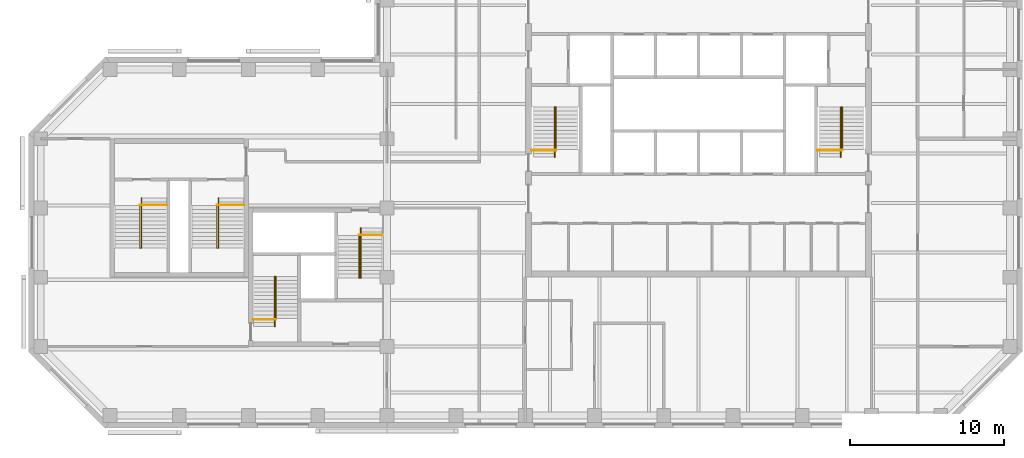
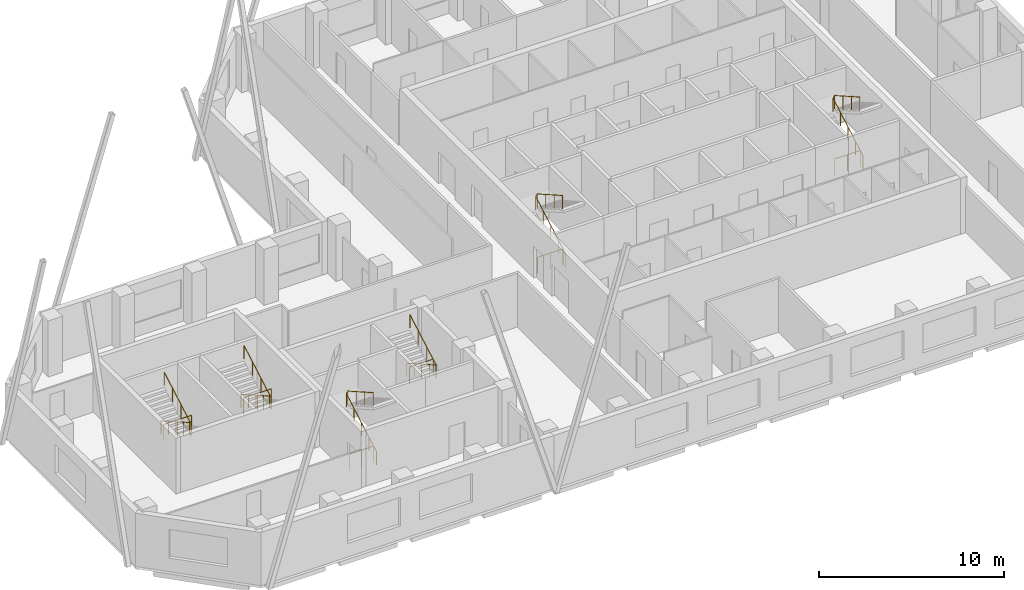
# One storey, part 9 of 9: 12 railings.
"""IFC4 building model written with IfcOpenShell, lengths in metres."""

import ifcopenshell
import ifcopenshell.guid

model = None  # the IFC model being written
_history = None  # IfcOwnerHistory: only IFC2X3 demands one
_inside = {}  # id of a spatial element -> (the spatial element, [elements in it])
_under = {}  # id of a project, library or spatial element -> (it, [spatial elements below it])
_declared = {}  # id of a project -> (the project, [libraries it declares])
_typed = {}  # id of a type object -> (the type object, [elements of that type])
_made_of = {}  # id of a material, layer set ... -> (it, [elements and type objects made of it])


def new_model(schema):
    """Start an empty IFC model of exactly this schema.

    Asked for "IFC4X3", IfcOpenShell would pick the latest addendum, in which some entities
    have other attributes; the version numbers below select the first issue.
    IFC2X3 requires an IfcOwnerHistory on every rooted entity: one is made here for all.
    """
    global model, _history
    if schema == "IFC4X3":
        model = ifcopenshell.file(schema_version=(4, 3, 0, 0))
    else:
        model = ifcopenshell.file(schema=schema)
    _inside.clear()
    _under.clear()
    _declared.clear()
    _typed.clear()
    _made_of.clear()
    _history = None
    if model.schema == "IFC2X3":
        org = make("IfcOrganization", Name="unknown")
        user = make(
            "IfcPersonAndOrganization",
            ThePerson=make("IfcPerson", FamilyName="unknown"),
            TheOrganization=org,
        )
        app = make(
            "IfcApplication",
            ApplicationDeveloper=org,
            Version="unknown",
            ApplicationFullName="unknown",
            ApplicationIdentifier="unknown",
        )
        _history = make(
            "IfcOwnerHistory",
            OwningUser=user,
            OwningApplication=app,
            ChangeAction="ADDED",
            CreationDate=0,
        )
    return model


def make(cls, **values):
    """One entity of the class cls with the attributes given. An attribute that is None is left unset."""
    return model.create_entity(
        cls, **{name: value for name, value in values.items() if value is not None}
    )


def rooted(cls, **values):
    """An entity with a GlobalId (a new one), such as an element, a storey or a relation."""
    return make(cls, GlobalId=ifcopenshell.guid.new(), OwnerHistory=_history, **values)


def si_unit(unit_type, name, prefix=None):
    """IfcSIUnit, for example si_unit("LENGTHUNIT", "METRE", prefix="MILLI")."""
    return make("IfcSIUnit", UnitType=unit_type, Prefix=prefix, Name=name)


def assignment(units):
    """IfcUnitAssignment: the units of a project."""
    return None if units is None else make("IfcUnitAssignment", Units=units)


def point(xyz):
    """IfcCartesianPoint."""
    return None if xyz is None else make("IfcCartesianPoint", Coordinates=xyz)


def direction(xyz):
    """IfcDirection."""
    return None if xyz is None else make("IfcDirection", DirectionRatios=xyz)


def frame(location, z_axis=None, x_axis=None):
    """IfcAxis2Placement3D, a coordinate frame: its origin and axes. An axis left out is left unset."""
    return make(
        "IfcAxis2Placement3D",
        Location=point(location),
        Axis=direction(z_axis),
        RefDirection=direction(x_axis),
    )


def frame_2d(location, x_axis=None):
    """IfcAxis2Placement2D, a coordinate frame in the plane: its origin and x axis."""
    return make(
        "IfcAxis2Placement2D", Location=point(location), RefDirection=direction(x_axis)
    )


def origin():
    """The frame at (0, 0, 0) with its axes left unset."""
    return frame((0.0, 0.0, 0.0))


def origin_2d():
    """The frame at (0, 0) in the plane with its x axis left unset."""
    return frame_2d((0.0, 0.0))


def place(relative_to, where):
    """IfcLocalPlacement: puts the frame where relative to a parent placement (None: the world)."""
    return make(
        "IfcLocalPlacement", PlacementRelTo=relative_to, RelativePlacement=where
    )


def context(
    kind, dimensions, precision=None, world=None, true_north=None, identifier=None
):
    """IfcGeometricRepresentationContext, for example the 3D "Model" context."""
    return make(
        "IfcGeometricRepresentationContext",
        ContextIdentifier=identifier,
        ContextType=kind,
        CoordinateSpaceDimension=dimensions,
        Precision=precision,
        WorldCoordinateSystem=world,
        TrueNorth=true_north,
    )


def subcontext(parent, identifier, kind, view, scale=None):
    """IfcGeometricRepresentationSubContext, for example "Body" below "Model"."""
    return make(
        "IfcGeometricRepresentationSubContext",
        ContextIdentifier=identifier,
        ContextType=kind,
        ParentContext=parent,
        TargetScale=scale,
        TargetView=view,
    )


def project(units=None, contexts=None):
    """IfcProject with its units and contexts."""
    return rooted(
        "IfcProject",
        Name="project",
        RepresentationContexts=contexts,
        UnitsInContext=assignment(units),
    )


def spatial(cls, under=None, at=None, **own):
    """A site, building, storey or space (cls), placed at a placement, below another one or the project."""
    s = rooted(cls, ObjectPlacement=at, **own)
    if under is not None:
        _under.setdefault(under.id(), (under, []))[1].append(s)
    return s


def profile(cls, at=None, kind="AREA", **sizes):
    """A parametric profile (cls). Its sizes go by their IFC names, for example OverallWidth=200.0."""
    return make(cls, ProfileType=kind, Position=at, **sizes)


def circle(**sizes):
    """IfcCircleProfileDef."""
    return profile("IfcCircleProfileDef", **sizes)


def extrude(swept, where, along, depth):
    """IfcExtrudedAreaSolid: the profile swept, set in the frame where, extruded along a direction by depth."""
    return make(
        "IfcExtrudedAreaSolid",
        SweptArea=swept,
        Position=where,
        ExtrudedDirection=direction(along),
        Depth=depth,
    )


def shape(context_of_items, identifier, shape_type, items):
    """IfcShapeRepresentation: the items that make up one representation, for example the "Body"."""
    return make(
        "IfcShapeRepresentation",
        ContextOfItems=context_of_items,
        RepresentationIdentifier=identifier,
        RepresentationType=shape_type,
        Items=items,
    )


def material(Name=None, Category=None):
    """IfcMaterial."""
    return make("IfcMaterial", Name=Name, Category=Category)


def made_of(thing, what):
    """Note that an element or type object is made of a material, layer set ...; save() writes the relation."""
    if what is not None:
        _made_of.setdefault(what.id(), (what, []))[1].append(thing)
    return thing


def type_object(cls, material=None, **own):
    """A type object (cls), such as IfcWallType, which elements share."""
    return made_of(rooted(cls, **own), material)


def element(
    cls,
    number,
    at=None,
    inside=None,
    cuts=None,
    type_object=None,
    material=None,
    context=None,
    identifier="Body",
    shape_type=None,
    held_by="IfcProductDefinitionShape",
    body=None,
    shapes=None,
    **own,
):
    """One element of the class cls, such as IfcWall. Its Tag is "e" and its number.

    at: its placement. inside: the storey or other place that contains it. cuts: it is an
    opening in that element (IfcRelVoidsElement). A single representation is given by context,
    identifier, shape_type and body (its items); several are given by shapes. held_by: the class
    of the entity that holds the representations. save() writes the other relations.
    """
    e = rooted(cls, Tag="e%d" % number, ObjectPlacement=at, **own)
    if body is not None:
        shapes = [shape(context, identifier, shape_type, body)]
    if shapes is not None:
        e.Representation = make(held_by, Representations=shapes)
    if inside is not None:
        _inside.setdefault(inside.id(), (inside, []))[1].append(e)
    if cuts is not None:
        rooted(
            "IfcRelVoidsElement", RelatingBuildingElement=cuts, RelatedOpeningElement=e
        )
    if type_object is not None:
        _typed.setdefault(type_object.id(), (type_object, []))[1].append(e)
    return made_of(e, material)


def aggregate(whole, parts):
    """IfcRelAggregates: a whole, such as a stair, and the parts it consists of."""
    return rooted("IfcRelAggregates", RelatingObject=whole, RelatedObjects=parts)


def save(model, path):
    """Write the relations noted so far, then the file.

    IfcRelAggregates (storeys below a building ...), IfcRelContainedInSpatialStructure (elements
    in a storey), IfcRelDefinesByType, IfcRelAssociatesMaterial and IfcRelDeclares: one each for
    every whole, place, type object, material and project.
    """
    for whole, parts in _under.values():
        aggregate(whole, parts)
    for where, things in _inside.values():
        rooted(
            "IfcRelContainedInSpatialStructure",
            RelatedElements=things,
            RelatingStructure=where,
        )
    for kind, things in _typed.values():
        rooted("IfcRelDefinesByType", RelatedObjects=things, RelatingType=kind)
    for what, things in _made_of.values():
        rooted("IfcRelAssociatesMaterial", RelatedObjects=things, RelatingMaterial=what)
    for by, libraries in _declared.values():
        rooted("IfcRelDeclares", RelatingContext=by, RelatedDefinitions=libraries)
    model.write(path)


model = new_model("IFC4")

# Units and contexts
model_context = context("Model", 3, precision=1e-05, world=origin(), true_north=direction((0.0, 1.0)))
body_context = subcontext(model_context, "Body", "Model", "MODEL_VIEW")
ifc_project = project(units=[si_unit("LENGTHUNIT", "METRE"), si_unit("AREAUNIT", "SQUARE_METRE"), si_unit("VOLUMEUNIT", "CUBIC_METRE"), si_unit("PLANEANGLEUNIT", "RADIAN"), si_unit("MASSUNIT", "GRAM", prefix="KILO")], contexts=[model_context])

# Site, building, storey
site_placement = place(None, origin())
site = spatial("IfcSite", under=ifc_project, at=site_placement, CompositionType="ELEMENT")
building_placement = place(site_placement, origin())
building = spatial("IfcBuilding", under=site, at=building_placement, Name="Quoin Convention Tower", CompositionType="ELEMENT")
storey_placement = place(building_placement, frame((0.0, 0.0, 158.800048828125)))
storey = spatial("IfcBuildingStorey", under=building, at=storey_placement, Name="L41", CompositionType="ELEMENT", Elevation=158.800048828125)

# Railings
ifc_material = material(Name="Stainless steel", Category="steel")
railing_type_1 = type_object("IfcRailingType", Name="Stair handrail 900", PredefinedType="HANDRAIL", material=ifc_material)
railing_1_placement = place(storey_placement, frame((46.905029296875, 57.300048828125, 0.142333984375)))
element("IfcRailing", 1, at=railing_1_placement, inside=storey, type_object=railing_type_1, Name="SD1 handrail 1", PredefinedType="HANDRAIL", context=body_context, shape_type="SweptSolid", body=[
    extrude(circle(Radius=0.02392578125, at=origin_2d()), frame((0.0, 0.0, 0.8759765625), z_axis=(0.0, 0.869081571614, 0.494668800189), x_axis=(-1.0, 0.0, 0.0)), (0.0, 0.0, 1.0), 3.739501953125),
    extrude(circle(Radius=0.02392578125, at=origin_2d()), frame((0.0, 3.25, 2.7255859375), z_axis=(0.53481069233, 0.0, 0.844971906852), x_axis=(0.0, 1.0, 0.0)), (0.0, 0.0, 1.0), 0.16845703125),
    extrude(circle(Radius=0.02392578125, at=origin_2d()), frame((0.090087890625, 3.25, 2.8681640625), z_axis=(0.0, -0.869058607571, 0.494709143443), x_axis=(1.0, 0.0, 0.0)), (0.0, 0.0, 1.0), 3.164306640625),
    extrude(circle(Radius=0.02099609375, at=origin_2d()), origin(), (0.0, 0.0, 1.0), 0.851806640625),
    extrude(circle(Radius=0.02099609375, at=origin_2d()), frame((0.0, 0.8125, 0.46240234375)), (0.0, 0.0, 1.0), 0.851806640625),
    extrude(circle(Radius=0.02099609375, at=origin_2d()), frame((0.0, 1.625, 0.9248046875)), (0.0, 0.0, 1.0), 0.851806640625),
    extrude(circle(Radius=0.02099609375, at=origin_2d()), frame((0.0, 2.4375, 1.387451171875)), (0.0, 0.0, 1.0), 0.851806640625),
    extrude(circle(Radius=0.02099609375, at=origin_2d()), frame((0.0, 3.25, 1.849853515625)), (0.0, 0.0, 1.0), 0.851806640625),
    extrude(circle(Radius=0.02099609375, at=origin_2d()), frame((0.090087890625, 3.25, 1.9921875)), (0.0, 0.0, 1.0), 0.851806640625),
    extrude(circle(Radius=0.02099609375, at=origin_2d()), frame((0.090087890625, 2.333251953125, 2.513916015625)), (0.0, 0.0, 1.0), 0.851806640625),
    extrude(circle(Radius=0.02099609375, at=origin_2d()), frame((0.090087890625, 1.416748046875, 3.035888671875)), (0.0, 0.0, 1.0), 0.851806640625),
    extrude(circle(Radius=0.02099609375, at=origin_2d()), frame((0.090087890625, 0.5, 3.5576171875)), (0.0, 0.0, 1.0), 0.851806640625),
])
railing_2_placement = place(storey_placement, frame((65.5048828125, 57.300048828125, 0.142333984375)))
element("IfcRailing", 2, at=railing_2_placement, inside=storey, type_object=railing_type_1, Name="SD2 handrail 1", PredefinedType="HANDRAIL", context=body_context, shape_type="SweptSolid", body=[
    extrude(circle(Radius=0.02392578125, at=origin_2d()), frame((0.0, 0.0, 0.8759765625), z_axis=(0.0, 0.869081571614, 0.494668800189), x_axis=(-1.0, 0.0, 0.0)), (0.0, 0.0, 1.0), 3.739501953125),
    extrude(circle(Radius=0.02392578125, at=origin_2d()), frame((0.0, 3.25, 2.7255859375), z_axis=(0.53481069233, 0.0, 0.844971906852), x_axis=(0.0, 1.0, 0.0)), (0.0, 0.0, 1.0), 0.16845703125),
    extrude(circle(Radius=0.02392578125, at=origin_2d()), frame((0.090087890625, 3.25, 2.8681640625), z_axis=(0.0, -0.869058607571, 0.494709143443), x_axis=(1.0, 0.0, 0.0)), (0.0, 0.0, 1.0), 3.164306640625),
    extrude(circle(Radius=0.02099609375, at=origin_2d()), origin(), (0.0, 0.0, 1.0), 0.851806640625),
    extrude(circle(Radius=0.02099609375, at=origin_2d()), frame((0.0, 0.8125, 0.46240234375)), (0.0, 0.0, 1.0), 0.851806640625),
    extrude(circle(Radius=0.02099609375, at=origin_2d()), frame((0.0, 1.625, 0.9248046875)), (0.0, 0.0, 1.0), 0.851806640625),
    extrude(circle(Radius=0.02099609375, at=origin_2d()), frame((0.0, 2.4375, 1.387451171875)), (0.0, 0.0, 1.0), 0.851806640625),
    extrude(circle(Radius=0.02099609375, at=origin_2d()), frame((0.0, 3.25, 1.849853515625)), (0.0, 0.0, 1.0), 0.851806640625),
    extrude(circle(Radius=0.02099609375, at=origin_2d()), frame((0.090087890625, 3.25, 1.9921875)), (0.0, 0.0, 1.0), 0.851806640625),
    extrude(circle(Radius=0.02099609375, at=origin_2d()), frame((0.090087890625, 2.333251953125, 2.513916015625)), (0.0, 0.0, 1.0), 0.851806640625),
    extrude(circle(Radius=0.02099609375, at=origin_2d()), frame((0.090087890625, 1.416748046875, 3.035888671875)), (0.0, 0.0, 1.0), 0.851806640625),
    extrude(circle(Radius=0.02099609375, at=origin_2d()), frame((0.090087890625, 0.5, 3.5576171875)), (0.0, 0.0, 1.0), 0.851806640625),
])
railing_3_placement = place(storey_placement, frame((28.705078125, 46.300048828125, 0.142333984375)))
element("IfcRailing", 3, at=railing_3_placement, inside=storey, type_object=railing_type_1, Name="SD3 handrail 1", PredefinedType="HANDRAIL", context=body_context, shape_type="SweptSolid", body=[
    extrude(circle(Radius=0.02392578125, at=origin_2d()), frame((0.0, 0.0, 0.8759765625), z_axis=(0.0, 0.869081571614, 0.494668800189), x_axis=(-1.0, 0.0, 0.0)), (0.0, 0.0, 1.0), 3.739501953125),
    extrude(circle(Radius=0.02392578125, at=origin_2d()), frame((0.0, 3.25, 2.7255859375), z_axis=(0.533774684331, 0.0, 0.845626741753), x_axis=(0.0, 1.0, 0.0)), (0.0, 0.0, 1.0), 0.168212890625),
    extrude(circle(Radius=0.02392578125, at=origin_2d()), frame((0.08984375, 3.25, 2.8681640625), z_axis=(0.0, -0.869058607571, 0.494709143443), x_axis=(1.0, 0.0, 0.0)), (0.0, 0.0, 1.0), 3.164306640625),
    extrude(circle(Radius=0.02099609375, at=origin_2d()), origin(), (0.0, 0.0, 1.0), 0.851806640625),
    extrude(circle(Radius=0.02099609375, at=origin_2d()), frame((0.0, 0.8125, 0.46240234375)), (0.0, 0.0, 1.0), 0.851806640625),
    extrude(circle(Radius=0.02099609375, at=origin_2d()), frame((0.0, 1.625, 0.9248046875)), (0.0, 0.0, 1.0), 0.851806640625),
    extrude(circle(Radius=0.02099609375, at=origin_2d()), frame((0.0, 2.4375, 1.387451171875)), (0.0, 0.0, 1.0), 0.851806640625),
    extrude(circle(Radius=0.02099609375, at=origin_2d()), frame((0.0, 3.25, 1.849853515625)), (0.0, 0.0, 1.0), 0.851806640625),
    extrude(circle(Radius=0.02099609375, at=origin_2d()), frame((0.08984375, 3.25, 1.9921875)), (0.0, 0.0, 1.0), 0.851806640625),
    extrude(circle(Radius=0.02099609375, at=origin_2d()), frame((0.08984375, 2.333251953125, 2.513916015625)), (0.0, 0.0, 1.0), 0.851806640625),
    extrude(circle(Radius=0.02099609375, at=origin_2d()), frame((0.08984375, 1.416748046875, 3.035888671875)), (0.0, 0.0, 1.0), 0.851806640625),
    extrude(circle(Radius=0.02099609375, at=origin_2d()), frame((0.08984375, 0.5, 3.5576171875)), (0.0, 0.0, 1.0), 0.851806640625),
])
railing_4_placement = place(storey_placement, frame((34.294921875, 52.699951171875, 0.142333984375)))
element("IfcRailing", 4, at=railing_4_placement, inside=storey, type_object=railing_type_1, Name="SD4 handrail 1", PredefinedType="HANDRAIL", context=body_context, shape_type="SweptSolid", body=[
    extrude(circle(Radius=0.02392578125, at=origin_2d()), frame((0.0, 0.0, 0.8759765625), z_axis=(0.0, -0.869081571614, 0.494668800189), x_axis=(1.0, 0.0, 0.0)), (0.0, 0.0, 1.0), 3.739501953125),
    extrude(circle(Radius=0.02392578125, at=origin_2d()), frame((0.0, -3.25, 2.7255859375), z_axis=(-0.533774684331, 0.0, 0.845626741753), x_axis=(0.0, -1.0, 0.0)), (0.0, 0.0, 1.0), 0.168212890625),
    extrude(circle(Radius=0.02392578125, at=origin_2d()), frame((-0.08984375, -3.25, 2.8681640625), z_axis=(0.0, 0.869058607571, 0.494709143443), x_axis=(-1.0, 0.0, 0.0)), (0.0, 0.0, 1.0), 3.164306640625),
    extrude(circle(Radius=0.02099609375, at=origin_2d()), origin(), (0.0, 0.0, 1.0), 0.851806640625),
    extrude(circle(Radius=0.02099609375, at=origin_2d()), frame((0.0, -0.8125, 0.46240234375)), (0.0, 0.0, 1.0), 0.851806640625),
    extrude(circle(Radius=0.02099609375, at=origin_2d()), frame((0.0, -1.625, 0.9248046875)), (0.0, 0.0, 1.0), 0.851806640625),
    extrude(circle(Radius=0.02099609375, at=origin_2d()), frame((0.0, -2.4375, 1.387451171875)), (0.0, 0.0, 1.0), 0.851806640625),
    extrude(circle(Radius=0.02099609375, at=origin_2d()), frame((0.0, -3.25, 1.849853515625)), (0.0, 0.0, 1.0), 0.851806640625),
    extrude(circle(Radius=0.02099609375, at=origin_2d()), frame((-0.08984375, -3.25, 1.9921875)), (0.0, 0.0, 1.0), 0.851806640625),
    extrude(circle(Radius=0.02099609375, at=origin_2d()), frame((-0.08984375, -2.333251953125, 2.513916015625)), (0.0, 0.0, 1.0), 0.851806640625),
    extrude(circle(Radius=0.02099609375, at=origin_2d()), frame((-0.08984375, -1.416748046875, 3.035888671875)), (0.0, 0.0, 1.0), 0.851806640625),
    extrude(circle(Radius=0.02099609375, at=origin_2d()), frame((-0.08984375, -0.5, 3.5576171875)), (0.0, 0.0, 1.0), 0.851806640625),
])
railing_5_placement = place(storey_placement, frame((20.044921875, 54.64990234375, 0.142333984375)))
element("IfcRailing", 5, at=railing_5_placement, inside=storey, type_object=railing_type_1, Name="SD11 handrail 1", PredefinedType="HANDRAIL", context=body_context, shape_type="SweptSolid", body=[
    extrude(circle(Radius=0.02392578125, at=origin_2d()), frame((0.0, 0.0, 0.8759765625), z_axis=(0.0, -0.869081571614, 0.494668800189), x_axis=(1.0, 0.0, 0.0)), (0.0, 0.0, 1.0), 3.739501953125),
    extrude(circle(Radius=0.02392578125, at=origin_2d()), frame((0.0, -3.25, 2.7255859375), z_axis=(-0.533774684331, 0.0, 0.845626741753), x_axis=(0.0, -1.0, 0.0)), (0.0, 0.0, 1.0), 0.168212890625),
    extrude(circle(Radius=0.02392578125, at=origin_2d()), frame((-0.08984375, -3.25, 2.8681640625), z_axis=(0.0, 0.869058607571, 0.494709143443), x_axis=(-1.0, 0.0, 0.0)), (0.0, 0.0, 1.0), 3.164306640625),
    extrude(circle(Radius=0.02099609375, at=origin_2d()), origin(), (0.0, 0.0, 1.0), 0.851806640625),
    extrude(circle(Radius=0.02099609375, at=origin_2d()), frame((0.0, -0.8125, 0.46240234375)), (0.0, 0.0, 1.0), 0.851806640625),
    extrude(circle(Radius=0.02099609375, at=origin_2d()), frame((0.0, -1.625, 0.9248046875)), (0.0, 0.0, 1.0), 0.851806640625),
    extrude(circle(Radius=0.02099609375, at=origin_2d()), frame((0.0, -2.4375, 1.387451171875)), (0.0, 0.0, 1.0), 0.851806640625),
    extrude(circle(Radius=0.02099609375, at=origin_2d()), frame((0.0, -3.25, 1.849853515625)), (0.0, 0.0, 1.0), 0.851806640625),
    extrude(circle(Radius=0.02099609375, at=origin_2d()), frame((-0.08984375, -3.25, 1.9921875)), (0.0, 0.0, 1.0), 0.851806640625),
    extrude(circle(Radius=0.02099609375, at=origin_2d()), frame((-0.08984375, -2.333251953125, 2.513916015625)), (0.0, 0.0, 1.0), 0.851806640625),
    extrude(circle(Radius=0.02099609375, at=origin_2d()), frame((-0.08984375, -1.416748046875, 3.035888671875)), (0.0, 0.0, 1.0), 0.851806640625),
    extrude(circle(Radius=0.02099609375, at=origin_2d()), frame((-0.08984375, -0.5, 3.5576171875)), (0.0, 0.0, 1.0), 0.851806640625),
])
railing_6_placement = place(storey_placement, frame((25.044921875, 54.64990234375, 0.142333984375)))
element("IfcRailing", 6, at=railing_6_placement, inside=storey, type_object=railing_type_1, Name="SD12 handrail 1", PredefinedType="HANDRAIL", context=body_context, shape_type="SweptSolid", body=[
    extrude(circle(Radius=0.02392578125, at=origin_2d()), frame((0.0, 0.0, 0.8759765625), z_axis=(0.0, -0.869081571614, 0.494668800189), x_axis=(1.0, 0.0, 0.0)), (0.0, 0.0, 1.0), 3.739501953125),
    extrude(circle(Radius=0.02392578125, at=origin_2d()), frame((0.0, -3.25, 2.7255859375), z_axis=(-0.533774684331, 0.0, 0.845626741753), x_axis=(0.0, -1.0, 0.0)), (0.0, 0.0, 1.0), 0.168212890625),
    extrude(circle(Radius=0.02392578125, at=origin_2d()), frame((-0.08984375, -3.25, 2.8681640625), z_axis=(0.0, 0.869058607571, 0.494709143443), x_axis=(-1.0, 0.0, 0.0)), (0.0, 0.0, 1.0), 3.164306640625),
    extrude(circle(Radius=0.02099609375, at=origin_2d()), origin(), (0.0, 0.0, 1.0), 0.851806640625),
    extrude(circle(Radius=0.02099609375, at=origin_2d()), frame((0.0, -0.8125, 0.46240234375)), (0.0, 0.0, 1.0), 0.851806640625),
    extrude(circle(Radius=0.02099609375, at=origin_2d()), frame((0.0, -1.625, 0.9248046875)), (0.0, 0.0, 1.0), 0.851806640625),
    extrude(circle(Radius=0.02099609375, at=origin_2d()), frame((0.0, -2.4375, 1.387451171875)), (0.0, 0.0, 1.0), 0.851806640625),
    extrude(circle(Radius=0.02099609375, at=origin_2d()), frame((0.0, -3.25, 1.849853515625)), (0.0, 0.0, 1.0), 0.851806640625),
    extrude(circle(Radius=0.02099609375, at=origin_2d()), frame((-0.08984375, -3.25, 1.9921875)), (0.0, 0.0, 1.0), 0.851806640625),
    extrude(circle(Radius=0.02099609375, at=origin_2d()), frame((-0.08984375, -2.333251953125, 2.513916015625)), (0.0, 0.0, 1.0), 0.851806640625),
    extrude(circle(Radius=0.02099609375, at=origin_2d()), frame((-0.08984375, -1.416748046875, 3.035888671875)), (0.0, 0.0, 1.0), 0.851806640625),
    extrude(circle(Radius=0.02099609375, at=origin_2d()), frame((-0.08984375, -0.5, 3.5576171875)), (0.0, 0.0, 1.0), 0.851806640625),
])
railing_type_2 = type_object("IfcRailingType", Name="Stair top guard 1100", PredefinedType="GUARDRAIL", material=ifc_material)
railing_7_placement = place(storey_placement, frame((45.39990234375, 57.75, 0.0)))
element("IfcRailing", 7, at=railing_7_placement, inside=storey, type_object=railing_type_2, Name="SD1 top guard", PredefinedType="GUARDRAIL", context=body_context, shape_type="SweptSolid", body=[
    extrude(circle(Radius=0.02392578125, at=origin_2d()), frame((0.0, 0.0, 1.076171875), z_axis=(1.0, 0.0, 0.0), x_axis=(0.0, 1.0, 0.0)), (0.0, 0.0, 1.0), 1.59521484375),
    extrude(circle(Radius=0.02099609375, at=origin_2d()), origin(), (0.0, 0.0, 1.0), 1.052001953125),
    extrude(circle(Radius=0.02099609375, at=origin_2d()), frame((0.797607421875, 0.0, 0.0)), (0.0, 0.0, 1.0), 1.052001953125),
    extrude(circle(Radius=0.02099609375, at=origin_2d()), frame((1.59521484375, 0.0, 0.0)), (0.0, 0.0, 1.0), 1.052001953125),
])
railing_8_placement = place(storey_placement, frame((64.0, 57.75, 0.0)))
element("IfcRailing", 8, at=railing_8_placement, inside=storey, type_object=railing_type_2, Name="SD2 top guard", PredefinedType="GUARDRAIL", context=body_context, shape_type="SweptSolid", body=[
    extrude(circle(Radius=0.02392578125, at=origin_2d()), frame((0.0, 0.0, 1.076171875), z_axis=(1.0, 0.0, 0.0), x_axis=(0.0, 1.0, 0.0)), (0.0, 0.0, 1.0), 1.594970703125),
    extrude(circle(Radius=0.02099609375, at=origin_2d()), origin(), (0.0, 0.0, 1.0), 1.052001953125),
    extrude(circle(Radius=0.02099609375, at=origin_2d()), frame((0.79736328125, 0.0, 0.0)), (0.0, 0.0, 1.0), 1.052001953125),
    extrude(circle(Radius=0.02099609375, at=origin_2d()), frame((1.594970703125, 0.0, 0.0)), (0.0, 0.0, 1.0), 1.052001953125),
])
railing_9_placement = place(storey_placement, frame((27.300048828125, 46.75, 0.0)))
element("IfcRailing", 9, at=railing_9_placement, inside=storey, type_object=railing_type_2, Name="SD3 top guard", PredefinedType="GUARDRAIL", context=body_context, shape_type="SweptSolid", body=[
    extrude(circle(Radius=0.02392578125, at=origin_2d()), frame((0.0, 0.0, 1.076171875), z_axis=(1.0, 0.0, 0.0), x_axis=(0.0, 1.0, 0.0)), (0.0, 0.0, 1.0), 1.494873046875),
    extrude(circle(Radius=0.02099609375, at=origin_2d()), origin(), (0.0, 0.0, 1.0), 1.052001953125),
    extrude(circle(Radius=0.02099609375, at=origin_2d()), frame((0.74755859375, 0.0, 0.0)), (0.0, 0.0, 1.0), 1.052001953125),
    extrude(circle(Radius=0.02099609375, at=origin_2d()), frame((1.494873046875, 0.0, 0.0)), (0.0, 0.0, 1.0), 1.052001953125),
])
railing_10_placement = place(storey_placement, frame((35.699951171875, 52.25, 0.0)))
element("IfcRailing", 10, at=railing_10_placement, inside=storey, type_object=railing_type_2, Name="SD4 top guard", PredefinedType="GUARDRAIL", context=body_context, shape_type="SweptSolid", body=[
    extrude(circle(Radius=0.02392578125, at=origin_2d()), frame((0.0, 0.0, 1.076171875), z_axis=(-1.0, 0.0, 0.0), x_axis=(0.0, -1.0, 0.0)), (0.0, 0.0, 1.0), 1.494873046875),
    extrude(circle(Radius=0.02099609375, at=origin_2d()), origin(), (0.0, 0.0, 1.0), 1.052001953125),
    extrude(circle(Radius=0.02099609375, at=origin_2d()), frame((-0.74755859375, 0.0, 0.0)), (0.0, 0.0, 1.0), 1.052001953125),
    extrude(circle(Radius=0.02099609375, at=origin_2d()), frame((-1.494873046875, 0.0, 0.0)), (0.0, 0.0, 1.0), 1.052001953125),
])
for number, where, name in (
    (11, (21.699951171875, 54.199951171875, 0.0), "SD11 top guard"),
    (12, (26.699951171875, 54.199951171875, 0.0), "SD12 top guard"),
):
    element("IfcRailing", number, at=place(storey_placement, frame(where)), inside=storey, type_object=railing_type_2, Name=name, PredefinedType="GUARDRAIL", context=body_context, shape_type="SweptSolid", body=[
        extrude(circle(Radius=0.02392578125, at=origin_2d()), frame((0.0, 0.0, 1.076171875), z_axis=(-1.0, 0.0, 0.0), x_axis=(0.0, -1.0, 0.0)), (0.0, 0.0, 1.0), 1.744873046875),
        extrude(circle(Radius=0.02099609375, at=origin_2d()), origin(), (0.0, 0.0, 1.0), 1.052001953125),
        extrude(circle(Radius=0.02099609375, at=origin_2d()), frame((-0.87255859375, 0.0, 0.0)), (0.0, 0.0, 1.0), 1.052001953125),
        extrude(circle(Radius=0.02099609375, at=origin_2d()), frame((-1.744873046875, 0.0, 0.0)), (0.0, 0.0, 1.0), 1.052001953125),
    ])

save(model, "model.ifc")
